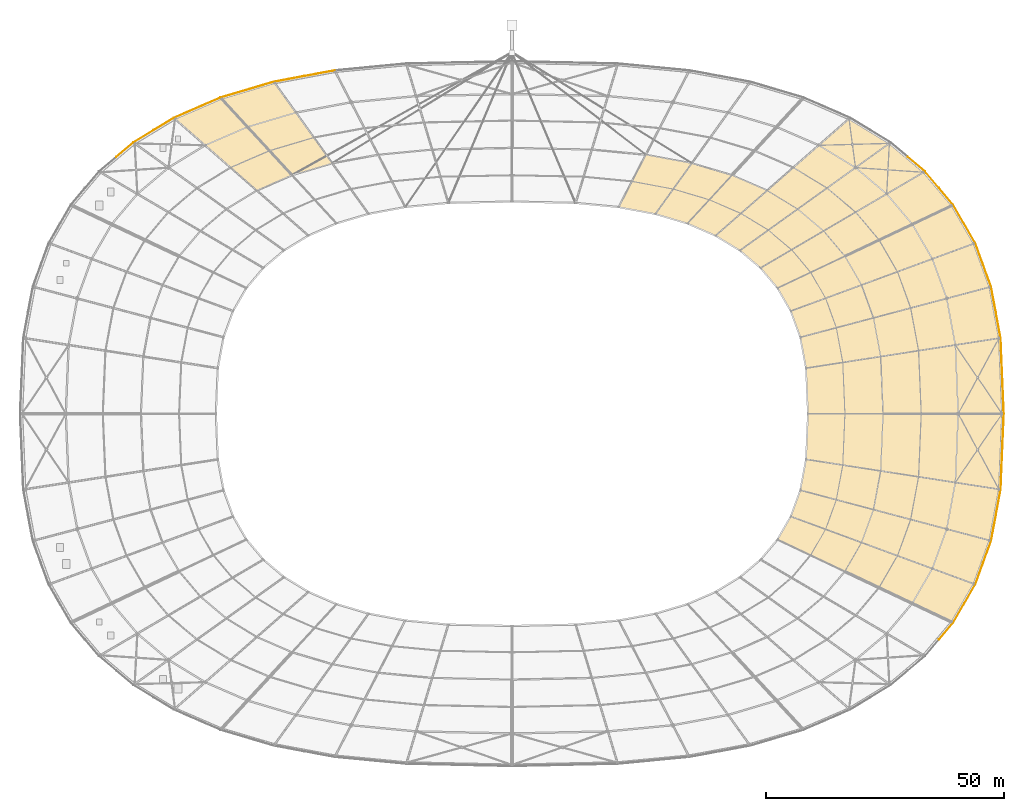
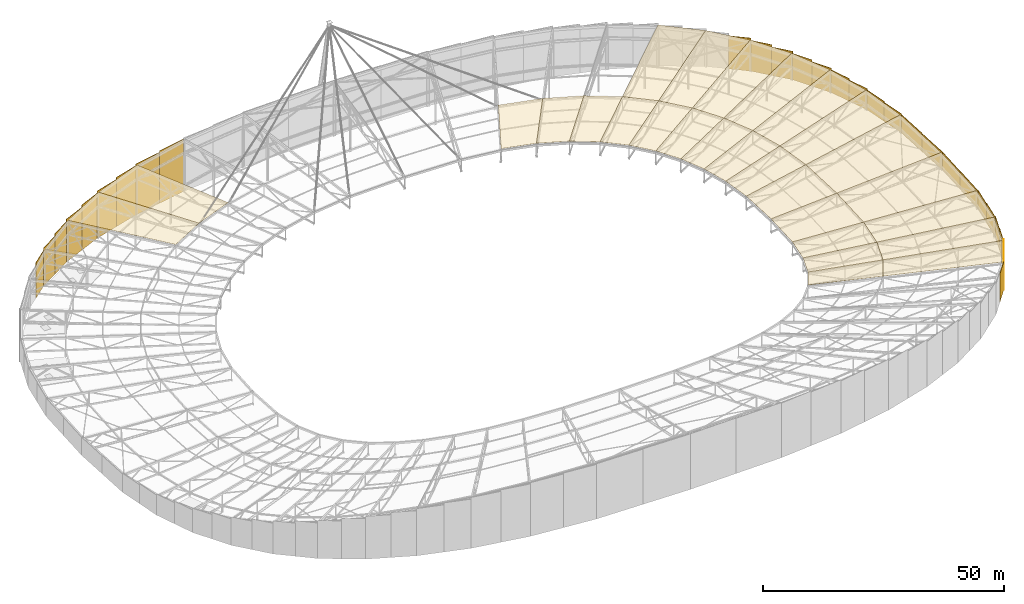
# One storey, part 142 of 143: 56 coverings.
"""IFC4 building model written with IfcOpenShell, lengths in metres."""

from ifc_helpers import new_model, si_unit, direction, frame, origin, origin_2d, place, context, subcontext, project, spatial, polyline, rectangle, outline, extrude, material, layer, layer_set, type_object, element, save


model = new_model("IFC4")

# Units and contexts
model_context = context("Model", 3, precision=1e-05, world=origin(), true_north=direction((0.0, 1.0)))
body_context = subcontext(model_context, "Body", "Model", "MODEL_VIEW")
ifc_project = project(units=[si_unit("LENGTHUNIT", "METRE"), si_unit("AREAUNIT", "SQUARE_METRE"), si_unit("VOLUMEUNIT", "CUBIC_METRE"), si_unit("PLANEANGLEUNIT", "RADIAN"), si_unit("MASSUNIT", "GRAM", prefix="KILO")], contexts=[model_context])

# Site, building, storey
site_placement = place(None, origin())
site = spatial("IfcSite", under=ifc_project, at=site_placement, CompositionType="ELEMENT")
building_placement = place(site_placement, origin())
building = spatial("IfcBuilding", under=site, at=building_placement, Name="Mphavela Belvedere Stadium", CompositionType="ELEMENT")
storey_placement = place(building_placement, frame((0.0, 0.0, 28.800048828125)))
storey = spatial("IfcBuildingStorey", under=building, at=storey_placement, Name="RF", CompositionType="ELEMENT", Elevation=28.800048828125)

# Coverings
ifc_material_1 = material(Name="Carved classical limestone entablature frieze cladding", Category="masonry")
ifc_layer_1 = layer(ifc_material_1, 0.06005859375)
ifc_layer_set_1 = layer_set([ifc_layer_1], Name="Carved classical limestone entablature frieze cladding")
covering_type_1 = type_object("IfcCoveringType", Name="COV-FRIEZE-CLAD", PredefinedType="CLADDING", material=ifc_layer_set_1)
covering_1_placement = place(storey_placement, frame((218.00244140625, 90.974609375, 0.0), z_axis=(0.0, 0.0, 1.0), x_axis=(-0.041875653729, 0.999122830099, 0.0)))
element("IfcCovering", 1, at=covering_1_placement, inside=storey, type_object=covering_type_1, Name="Classical perforated limestone roof attic screen 01-1", PredefinedType="CLADDING", context=body_context, shape_type="SweptSolid", body=[
    extrude(rectangle(XDim=7.996337890625, YDim=0.080078125, at=origin_2d()), origin(), (0.0, 0.0, 1.0), 4.556884765625),
])
covering_2_placement = place(storey_placement, frame((217.669189453125, 98.924072265625, 0.0), z_axis=(0.0, 0.0, 1.0), x_axis=(-0.041875653729, 0.999122830099, 0.0)))
element("IfcCovering", 2, at=covering_2_placement, inside=storey, type_object=covering_type_1, Name="Classical perforated limestone roof attic screen 01-2", PredefinedType="CLADDING", context=body_context, shape_type="SweptSolid", body=[
    extrude(rectangle(XDim=7.996337890625, YDim=0.080078125, at=origin_2d()), origin(), (0.0, 0.0, 1.0), 4.638671875),
])
covering_3_placement = place(storey_placement, frame((217.0029296875, 105.587158203125, 0.0), z_axis=(0.0, 0.0, 1.0), x_axis=(-0.182578735093, 0.983191235463, 0.0)))
element("IfcCovering", 3, at=covering_3_placement, inside=storey, type_object=covering_type_1, Name="Classical perforated limestone roof attic screen 02-1", PredefinedType="CLADDING", context=body_context, shape_type="SweptSolid", body=[
    extrude(rectangle(XDim=5.5087890625, YDim=0.080078125, at=origin_2d()), origin(), (0.0, 0.0, 1.0), 4.799560546875),
])
covering_4_placement = place(storey_placement, frame((216.004150390625, 110.964111328125, 0.0), z_axis=(0.0, 0.0, 1.0), x_axis=(-0.182578735093, 0.983191235463, 0.0)))
element("IfcCovering", 4, at=covering_4_placement, inside=storey, type_object=covering_type_1, Name="Classical perforated limestone roof attic screen 02-2", PredefinedType="CLADDING", context=body_context, shape_type="SweptSolid", body=[
    extrude(rectangle(XDim=5.5087890625, YDim=0.080078125, at=origin_2d()), origin(), (0.0, 0.0, 1.0), 5.039306640625),
])
covering_5_placement = place(storey_placement, frame((214.6748046875, 115.9404296875, 0.0), z_axis=(0.0, 0.0, 1.0), x_axis=(-0.341035912161, 0.940050268133, 0.0)))
element("IfcCovering", 5, at=covering_5_placement, inside=storey, type_object=covering_type_1, Name="Classical perforated limestone roof attic screen 03-1", PredefinedType="CLADDING", context=body_context, shape_type="SweptSolid", body=[
    extrude(rectangle(XDim=4.9072265625, YDim=0.080078125, at=origin_2d()), origin(), (0.0, 0.0, 1.0), 5.349853515625),
])
covering_6_placement = place(storey_placement, frame((213.014892578125, 120.515869140625, 0.0), z_axis=(0.0, 0.0, 1.0), x_axis=(-0.341035912161, 0.940050268133, 0.0)))
element("IfcCovering", 6, at=covering_6_placement, inside=storey, type_object=covering_type_1, Name="Classical perforated limestone roof attic screen 03-2", PredefinedType="CLADDING", context=body_context, shape_type="SweptSolid", body=[
    extrude(rectangle(XDim=4.9072265625, YDim=0.080078125, at=origin_2d()), origin(), (0.0, 0.0, 1.0), 5.731201171875),
])
covering_7_placement = place(storey_placement, frame((211.027587890625, 124.804931640625, 0.0), z_axis=(0.0, 0.0, 1.0), x_axis=(-0.500604477892, 0.865676126917, 0.0)))
element("IfcCovering", 7, at=covering_7_placement, inside=storey, type_object=covering_type_1, Name="Classical perforated limestone roof attic screen 04-1", PredefinedType="CLADDING", context=body_context, shape_type="SweptSolid", body=[
    extrude(rectangle(XDim=4.6640625, YDim=0.080078125, at=origin_2d()), origin(), (0.0, 0.0, 1.0), 6.17041015625),
])
covering_8_placement = place(storey_placement, frame((208.713134765625, 128.80810546875, 0.0), z_axis=(0.0, 0.0, 1.0), x_axis=(-0.500604477892, 0.865676126917, 0.0)))
element("IfcCovering", 8, at=covering_8_placement, inside=storey, type_object=covering_type_1, Name="Classical perforated limestone roof attic screen 04-2", PredefinedType="CLADDING", context=body_context, shape_type="SweptSolid", body=[
    extrude(rectangle(XDim=4.6640625, YDim=0.080078125, at=origin_2d()), origin(), (0.0, 0.0, 1.0), 6.66748046875),
])
covering_9_placement = place(storey_placement, frame((206.07470703125, 132.563720703125, 0.0), z_axis=(0.0, 0.0, 1.0), x_axis=(-0.645191033296, 0.764021289334, 0.0)))
element("IfcCovering", 9, at=covering_9_placement, inside=storey, type_object=covering_type_1, Name="Classical perforated limestone roof attic screen 05-1", PredefinedType="CLADDING", context=body_context, shape_type="SweptSolid", body=[
    extrude(rectangle(XDim=4.631103515625, YDim=0.080078125, at=origin_2d()), origin(), (0.0, 0.0, 1.0), 7.205322265625),
])
covering_10_placement = place(storey_placement, frame((203.112548828125, 136.071533203125, 0.0), z_axis=(0.0, 0.0, 1.0), x_axis=(-0.645191033296, 0.764021289334, 0.0)))
element("IfcCovering", 10, at=covering_10_placement, inside=storey, type_object=covering_type_1, Name="Classical perforated limestone roof attic screen 05-2", PredefinedType="CLADDING", context=body_context, shape_type="SweptSolid", body=[
    extrude(rectangle(XDim=4.631103515625, YDim=0.080078125, at=origin_2d()), origin(), (0.0, 0.0, 1.0), 7.7841796875),
])
covering_11_placement = place(storey_placement, frame((199.82958984375, 139.345947265625, 0.0), z_axis=(0.0, 0.0, 1.0), x_axis=(-0.764246456939, 0.644924300253, 0.0)))
element("IfcCovering", 11, at=covering_11_placement, inside=storey, type_object=covering_type_1, Name="Classical perforated limestone roof attic screen 06-1", PredefinedType="CLADDING", context=body_context, shape_type="SweptSolid", body=[
    extrude(rectangle(XDim=4.755126953125, YDim=0.080078125, at=origin_2d()), origin(), (0.0, 0.0, 1.0), 8.38427734375),
])
covering_12_placement = place(storey_placement, frame((74.6083984375, 158.41650390625, 0.0), z_axis=(0.0, 0.0, 1.0), x_axis=(-0.983095502692, -0.183093507769, 0.0)))
element("IfcCovering", 12, at=covering_12_placement, inside=storey, type_object=covering_type_1, Name="Classical perforated limestone roof attic screen 15-1", PredefinedType="CLADDING", context=body_context, shape_type="SweptSolid", body=[
    extrude(rectangle(XDim=6.53564453125, YDim=0.080078125, at=origin_2d()), origin(), (0.0, 0.0, 1.0), 13.2822265625),
])
covering_13_placement = place(storey_placement, frame((68.22265625, 157.227294921875, 0.0), z_axis=(0.0, 0.0, 1.0), x_axis=(-0.983095502692, -0.183093507769, 0.0)))
element("IfcCovering", 13, at=covering_13_placement, inside=storey, type_object=covering_type_1, Name="Classical perforated limestone roof attic screen 15-2", PredefinedType="CLADDING", context=body_context, shape_type="SweptSolid", body=[
    extrude(rectangle(XDim=6.53564453125, YDim=0.080078125, at=origin_2d()), origin(), (0.0, 0.0, 1.0), 12.90087890625),
])
covering_14_placement = place(storey_placement, frame((62.236083984375, 155.803466796875, 0.0), z_axis=(0.0, 0.0, 1.0), x_axis=(-0.958670893355, -0.284517342588, 0.0)))
element("IfcCovering", 14, at=covering_14_placement, inside=storey, type_object=covering_type_1, Name="Classical perforated limestone roof attic screen 16-1", PredefinedType="CLADDING", context=body_context, shape_type="SweptSolid", body=[
    extrude(rectangle(XDim=5.867919921875, YDim=0.080078125, at=origin_2d()), origin(), (0.0, 0.0, 1.0), 12.461669921875),
])
covering_15_placement = place(storey_placement, frame((56.649169921875, 154.14501953125, 0.0), z_axis=(0.0, 0.0, 1.0), x_axis=(-0.958670893355, -0.284517342588, 0.0)))
element("IfcCovering", 15, at=covering_15_placement, inside=storey, type_object=covering_type_1, Name="Classical perforated limestone roof attic screen 16-2", PredefinedType="CLADDING", context=body_context, shape_type="SweptSolid", body=[
    extrude(rectangle(XDim=5.867919921875, YDim=0.080078125, at=origin_2d()), origin(), (0.0, 0.0, 1.0), 11.964599609375),
])
covering_16_placement = place(storey_placement, frame((51.40771484375, 152.25439453125, 0.0), z_axis=(0.0, 0.0, 1.0), x_axis=(-0.917477140523, -0.397788507398, 0.0)))
element("IfcCovering", 16, at=covering_16_placement, inside=storey, type_object=covering_type_1, Name="Classical perforated limestone roof attic screen 17-1", PredefinedType="CLADDING", context=body_context, shape_type="SweptSolid", body=[
    extrude(rectangle(XDim=5.376220703125, YDim=0.080078125, at=origin_2d()), origin(), (0.0, 0.0, 1.0), 11.426513671875),
])
covering_17_placement = place(storey_placement, frame((46.51171875, 150.132080078125, 0.0), z_axis=(0.0, 0.0, 1.0), x_axis=(-0.917477140523, -0.397788507398, 0.0)))
element("IfcCovering", 17, at=covering_17_placement, inside=storey, type_object=covering_type_1, Name="Classical perforated limestone roof attic screen 17-2", PredefinedType="CLADDING", context=body_context, shape_type="SweptSolid", body=[
    extrude(rectangle(XDim=5.376220703125, YDim=0.080078125, at=origin_2d()), origin(), (0.0, 0.0, 1.0), 10.84765625),
])
covering_18_placement = place(storey_placement, frame((41.941650390625, 147.780029296875, 0.0), z_axis=(0.0, 0.0, 1.0), x_axis=(-0.854368143929, -0.519668235165, 0.0)))
element("IfcCovering", 18, at=covering_18_placement, inside=storey, type_object=covering_type_1, Name="Classical perforated limestone roof attic screen 18-1", PredefinedType="CLADDING", context=body_context, shape_type="SweptSolid", body=[
    extrude(rectangle(XDim=5.0078125, YDim=0.080078125, at=origin_2d()), origin(), (0.0, 0.0, 1.0), 10.247802734375),
])
covering_19_placement = place(storey_placement, frame((37.697509765625, 145.197998046875, 0.0), z_axis=(0.0, 0.0, 1.0), x_axis=(-0.854368143929, -0.519668235165, 0.0)))
element("IfcCovering", 19, at=covering_19_placement, inside=storey, type_object=covering_type_1, Name="Classical perforated limestone roof attic screen 18-2", PredefinedType="CLADDING", context=body_context, shape_type="SweptSolid", body=[
    extrude(rectangle(XDim=5.0078125, YDim=0.080078125, at=origin_2d()), origin(), (0.0, 0.0, 1.0), 9.626708984375),
])
covering_20_placement = place(storey_placement, frame((33.77392578125, 142.38671875, 0.0), z_axis=(0.0, 0.0, 1.0), x_axis=(-0.764246456939, -0.644924300253, 0.0)))
element("IfcCovering", 20, at=covering_20_placement, inside=storey, type_object=covering_type_1, Name="Classical perforated limestone roof attic screen 19-1", PredefinedType="CLADDING", context=body_context, shape_type="SweptSolid", body=[
    extrude(rectangle(XDim=4.755126953125, YDim=0.080078125, at=origin_2d()), origin(), (0.0, 0.0, 1.0), 9.00537109375),
])
covering_21_placement = place(storey_placement, frame((206.07470703125, 41.436279296875, 0.0), z_axis=(0.0, 0.0, 1.0), x_axis=(0.645191033296, 0.764021289334, 0.0)))
element("IfcCovering", 21, at=covering_21_placement, inside=storey, type_object=covering_type_1, Name="Classical perforated limestone roof attic screen 44-2", PredefinedType="CLADDING", context=body_context, shape_type="SweptSolid", body=[
    extrude(rectangle(XDim=4.631103515625, YDim=0.080078125, at=origin_2d()), origin(), (0.0, 0.0, 1.0), 7.205322265625),
])
covering_22_placement = place(storey_placement, frame((208.713134765625, 45.19189453125, 0.0), z_axis=(0.0, 0.0, 1.0), x_axis=(0.500604477892, 0.865676126917, 0.0)))
element("IfcCovering", 22, at=covering_22_placement, inside=storey, type_object=covering_type_1, Name="Classical perforated limestone roof attic screen 45-1", PredefinedType="CLADDING", context=body_context, shape_type="SweptSolid", body=[
    extrude(rectangle(XDim=4.6640625, YDim=0.080078125, at=origin_2d()), origin(), (0.0, 0.0, 1.0), 6.66748046875),
])
covering_23_placement = place(storey_placement, frame((211.027587890625, 49.19482421875, 0.0), z_axis=(0.0, 0.0, 1.0), x_axis=(0.500604477892, 0.865676126917, 0.0)))
element("IfcCovering", 23, at=covering_23_placement, inside=storey, type_object=covering_type_1, Name="Classical perforated limestone roof attic screen 45-2", PredefinedType="CLADDING", context=body_context, shape_type="SweptSolid", body=[
    extrude(rectangle(XDim=4.6640625, YDim=0.080078125, at=origin_2d()), origin(), (0.0, 0.0, 1.0), 6.17041015625),
])
covering_24_placement = place(storey_placement, frame((213.014892578125, 53.484130859375, 0.0), z_axis=(0.0, 0.0, 1.0), x_axis=(0.341035912161, 0.940050268133, 0.0)))
element("IfcCovering", 24, at=covering_24_placement, inside=storey, type_object=covering_type_1, Name="Classical perforated limestone roof attic screen 46-1", PredefinedType="CLADDING", context=body_context, shape_type="SweptSolid", body=[
    extrude(rectangle(XDim=4.9072265625, YDim=0.080078125, at=origin_2d()), origin(), (0.0, 0.0, 1.0), 5.731201171875),
])
covering_25_placement = place(storey_placement, frame((214.6748046875, 58.0595703125, 0.0), z_axis=(0.0, 0.0, 1.0), x_axis=(0.341035912161, 0.940050268133, 0.0)))
element("IfcCovering", 25, at=covering_25_placement, inside=storey, type_object=covering_type_1, Name="Classical perforated limestone roof attic screen 46-2", PredefinedType="CLADDING", context=body_context, shape_type="SweptSolid", body=[
    extrude(rectangle(XDim=4.9072265625, YDim=0.080078125, at=origin_2d()), origin(), (0.0, 0.0, 1.0), 5.349853515625),
])
covering_26_placement = place(storey_placement, frame((216.004150390625, 63.03564453125, 0.0), z_axis=(0.0, 0.0, 1.0), x_axis=(0.182578735093, 0.983191235463, 0.0)))
element("IfcCovering", 26, at=covering_26_placement, inside=storey, type_object=covering_type_1, Name="Classical perforated limestone roof attic screen 47-1", PredefinedType="CLADDING", context=body_context, shape_type="SweptSolid", body=[
    extrude(rectangle(XDim=5.5087890625, YDim=0.080078125, at=origin_2d()), origin(), (0.0, 0.0, 1.0), 5.039306640625),
])
covering_27_placement = place(storey_placement, frame((217.0029296875, 68.41259765625, 0.0), z_axis=(0.0, 0.0, 1.0), x_axis=(0.182578735093, 0.983191235463, 0.0)))
element("IfcCovering", 27, at=covering_27_placement, inside=storey, type_object=covering_type_1, Name="Classical perforated limestone roof attic screen 47-2", PredefinedType="CLADDING", context=body_context, shape_type="SweptSolid", body=[
    extrude(rectangle(XDim=5.5087890625, YDim=0.080078125, at=origin_2d()), origin(), (0.0, 0.0, 1.0), 4.799560546875),
])
covering_28_placement = place(storey_placement, frame((217.669189453125, 75.075927734375, 0.0), z_axis=(0.0, 0.0, 1.0), x_axis=(0.041875653729, 0.999122830099, 0.0)))
element("IfcCovering", 28, at=covering_28_placement, inside=storey, type_object=covering_type_1, Name="Classical perforated limestone roof attic screen 48-1", PredefinedType="CLADDING", context=body_context, shape_type="SweptSolid", body=[
    extrude(rectangle(XDim=7.996337890625, YDim=0.080078125, at=origin_2d()), origin(), (0.0, 0.0, 1.0), 4.638671875),
])
covering_29_placement = place(storey_placement, frame((218.00244140625, 83.025390625, 0.0), z_axis=(0.0, 0.0, 1.0), x_axis=(0.041875653729, 0.999122830099, 0.0)))
element("IfcCovering", 29, at=covering_29_placement, inside=storey, type_object=covering_type_1, Name="Classical perforated limestone roof attic screen 48-2", PredefinedType="CLADDING", context=body_context, shape_type="SweptSolid", body=[
    extrude(rectangle(XDim=7.996337890625, YDim=0.080078125, at=origin_2d()), origin(), (0.0, 0.0, 1.0), 4.556884765625),
])
ifc_material_2 = material(Name="Translucent polycarbonate roof panel")
ifc_layer_2 = layer(ifc_material_2, 0.0400390625)
ifc_layer_set_2 = layer_set([ifc_layer_2], Name="Translucent polycarbonate roof panel")
covering_type_2 = type_object("IfcCoveringType", Name="COV-ROOF-POLY", PredefinedType="ROOFING", material=ifc_layer_set_2)
covering_30_placement = place(storey_placement, frame((177.080078125, 87.0, 1.993896484375), z_axis=(-0.062764675151, -0.012937676198, 0.99794449349), x_axis=(-0.041915656124, 0.999067894558, 0.010315998982)))
element("IfcCovering", 30, at=covering_30_placement, inside=storey, type_object=covering_type_2, Name="Saddle canopy UV polycarbonate covering 01-1", PredefinedType="ROOFING", context=body_context, shape_type="SweptSolid", body=[
    extrude(outline(polyline([(0.0, 0.0), (9.575818241799112, 1.9081958235744878e-17), (11.356570347502219, -15.780304514097292), (-0.6504681519766061, -15.780185589169587), (0.0, 0.0)])), origin(), (0.0, 0.0, -1.0), 0.0400390625),
])
covering_31_placement = place(storey_placement, frame((192.842529296875, 87.0, 2.985107421875), z_axis=(-0.062755003726, -0.012940970065, 0.997945059009), x_axis=(-0.041906011474, 0.999068254647, 0.010320308094)))
element("IfcCovering", 31, at=covering_31_placement, inside=storey, type_object=covering_type_2, Name="Saddle canopy UV polycarbonate covering 01-2", PredefinedType="ROOFING", context=body_context, shape_type="SweptSolid", body=[
    extrude(outline(polyline([(0.0, 0.0), (12.007038500545576, 9.194034422677078e-17), (14.829246143778846, -25.00571956962916), (-1.0304978905212312, -25.005658295657856), (0.0, 0.0)])), origin(), (0.0, 0.0, -1.0), 0.0400390625),
])
covering_32_placement = place(storey_placement, frame((176.6787109375, 96.56689453125, 2.092529296875), z_axis=(-0.056164272508, -0.0550547547, 0.996902476915), x_axis=(-0.182443772606, 0.982232795792, 0.043965949412)))
element("IfcCovering", 32, at=covering_32_placement, inside=storey, type_object=covering_type_2, Name="Saddle canopy UV polycarbonate covering 02-1", PredefinedType="ROOFING", context=body_context, shape_type="SweptSolid", body=[
    extrude(outline(polyline([(0.0, 0.0), (6.587757884317763, 3.226585665316861e-16), (7.834077100659961, -15.874766632555215), (-0.42669187961918353, -15.874729057762822), (0.0, 0.0)])), origin(), (0.0, 0.0, -1.0), 0.0400390625),
])
covering_33_placement = place(storey_placement, frame((192.33935546875, 98.995849609375, 3.109130859375), z_axis=(-0.056154244262, -0.055032730131, 0.996904257923), x_axis=(-0.18243819098, 0.982234706245, 0.043946425573)))
element("IfcCovering", 33, at=covering_33_placement, inside=storey, type_object=covering_type_2, Name="Saddle canopy UV polycarbonate covering 02-2", PredefinedType="ROOFING", context=body_context, shape_type="SweptSolid", body=[
    extrude(outline(polyline([(0.0, 0.0), (8.260768981880847, 1.0408340855860843e-16), (10.23552338864313, -25.155086016875817), (-0.6759062003940843, -25.155397392929647), (0.0, 0.0)])), origin(), (0.0, 0.0, -1.0), 0.0400390625),
])
covering_34_placement = place(storey_placement, frame((175.476806640625, 103.03759765625, 2.38232421875), z_axis=(-0.044251671248, -0.099185327266, 0.994084533854), x_axis=(-0.340014874302, 0.937148983878, 0.078368790151)))
element("IfcCovering", 34, at=covering_34_placement, inside=storey, type_object=covering_type_2, Name="Saddle canopy UV polycarbonate covering 03-1", PredefinedType="ROOFING", context=body_context, shape_type="SweptSolid", body=[
    extrude(outline(polyline([(0.0, 0.0), (5.875635604742094, -4.163336342344337e-17), (6.047943325037904, -15.868980489131248), (-1.3193584481840013, -15.868863240229345), (0.0, 0.0)])), origin(), (0.0, 0.0, -1.0), 0.0400390625),
])
covering_35_placement = place(storey_placement, frame((190.832275390625, 107.10986328125, 3.47216796875), z_axis=(-0.044245308, -0.099200765104, 0.994083276654), x_axis=(-0.340000664528, 0.937152648351, 0.078386617544)))
element("IfcCovering", 35, at=covering_35_placement, inside=storey, type_object=covering_type_2, Name="Saddle canopy UV polycarbonate covering 03-2", PredefinedType="ROOFING", context=body_context, shape_type="SweptSolid", body=[
    extrude(outline(polyline([(0.0, 0.0), (7.367301773413963, 2.220446049250313e-16), (7.640832806532961, -25.146073754961183), (-2.0905256807669184, -25.145729455522236), (0.0, 0.0)])), origin(), (0.0, 0.0, -1.0), 0.0400390625),
])
covering_36_placement = place(storey_placement, frame((173.47900390625, 108.5439453125, 2.8427734375), z_axis=(-0.028856356997, -0.140011464477, 0.989729306667), x_axis=(-0.497643603936, 0.860725094897, 0.107252759761)))
element("IfcCovering", 36, at=covering_36_placement, inside=storey, type_object=covering_type_2, Name="Saddle canopy UV polycarbonate covering 04-1", PredefinedType="ROOFING", context=body_context, shape_type="SweptSolid", body=[
    extrude(outline(polyline([(0.0, 0.0), (5.597177419716359, -3.191891195797325e-16), (4.466977256564428, -15.663177329598065), (-2.5514232128908825, -15.66347570953079), (0.0, 0.0)])), origin(), (0.0, 0.0, -1.0), 0.0400390625),
])
covering_37_placement = place(storey_placement, frame((188.327392578125, 114.01416015625, 4.049560546875), z_axis=(-0.028862152723, -0.140004301385, 0.989730150967), x_axis=(-0.49768019511, 0.860705565907, 0.107239695134)))
element("IfcCovering", 37, at=covering_37_placement, inside=storey, type_object=covering_type_2, Name="Saddle canopy UV polycarbonate covering 04-2", PredefinedType="ROOFING", context=body_context, shape_type="SweptSolid", body=[
    extrude(outline(polyline([(0.0, 0.0), (7.018400475773272, 3.0531133177191805e-16), (5.226613501522987, -24.820291656156545), (-4.043962762223195, -24.82027819553575), (0.0, 0.0)])), origin(), (0.0, 0.0, -1.0), 0.0400390625),
])
covering_38_placement = place(storey_placement, frame((170.693603515625, 113.361572265625, 3.443115234375), z_axis=(-0.012499055619, -0.173574574961, 0.984741407952), x_axis=(-0.6400544145, 0.758012864044, 0.125486431227)))
element("IfcCovering", 38, at=covering_38_placement, inside=storey, type_object=covering_type_2, Name="Saddle canopy UV polycarbonate covering 05-1", PredefinedType="ROOFING", context=body_context, shape_type="SweptSolid", body=[
    extrude(outline(polyline([(0.0, 0.0), (5.569368925132809, 4.996003610813204e-16), (3.1767967242217043, -15.235350172096124), (-3.8067207272916477, -15.235529322913774), (0.0, 0.0)])), origin(), (0.0, 0.0, -1.0), 0.0400390625),
])
covering_39_placement = place(storey_placement, frame((184.83447265625, 120.054931640625, 4.80224609375), z_axis=(-0.012483112725, -0.173591051891, 0.984738705749), x_axis=(-0.640074409653, 0.757992736839, 0.125506019804)))
element("IfcCovering", 39, at=covering_39_placement, inside=storey, type_object=covering_type_2, Name="Saddle canopy UV polycarbonate covering 05-2", PredefinedType="ROOFING", context=body_context, shape_type="SweptSolid", body=[
    extrude(outline(polyline([(0.0, 0.0), (6.98351745546173, 1.0269562977782698e-15), (3.19152392636825, -24.142724802360686), (-6.0326516070483684, -24.142586709938033), (0.0, 0.0)])), origin(), (0.0, 0.0, -1.0), 0.0400390625),
])
covering_40_placement = place(storey_placement, frame((167.12890625, 117.583251953125, 4.141845703125), z_axis=(0.002399905899, -0.198067178386, 0.980185509635), x_axis=(-0.757684743697, 0.639328589007, 0.131044971089)))
element("IfcCovering", 40, at=covering_40_placement, inside=storey, type_object=covering_type_2, Name="Saddle canopy UV polycarbonate covering 06-1", PredefinedType="ROOFING", context=body_context, shape_type="SweptSolid", body=[
    extrude(outline(polyline([(0.0, 0.0), (5.723903614211194, -9.71445146547012e-17), (2.314591764863128, -14.635831257513168), (-4.8625365759486545, -14.635437630919384), (0.0, 0.0)])), origin(), (0.0, 0.0, -1.0), 0.0400390625),
])
covering_41_placement = place(storey_placement, frame((180.364501953125, 125.348388671875, 5.6787109375), z_axis=(0.002392054769, -0.198047747663, 0.980189455013), x_axis=(-0.757648995264, 0.639373077979, 0.131034602797)))
element("IfcCovering", 41, at=covering_41_placement, inside=storey, type_object=covering_type_2, Name="Saddle canopy UV polycarbonate covering 06-2", PredefinedType="ROOFING", context=body_context, shape_type="SweptSolid", body=[
    extrude(outline(polyline([(0.0, 0.0), (7.177128353319401, -1.1657341758564144e-15), (1.7759581672517495, -23.192195402589864), (-7.704161750379658, -23.192590789533337), (0.0, 0.0)])), origin(), (0.0, 0.0, -1.0), 0.0400390625),
])
covering_42_placement = place(storey_placement, frame((162.7919921875, 121.24267578125, 4.89208984375), z_axis=(0.013733179277, -0.213217345018, 0.976908267736), x_axis=(-0.847661594351, 0.51572778505, 0.124477601161)))
element("IfcCovering", 42, at=covering_42_placement, inside=storey, type_object=covering_type_2, Name="Saddle canopy UV polycarbonate covering 07-1", PredefinedType="ROOFING", context=body_context, shape_type="SweptSolid", body=[
    extrude(outline(polyline([(0.0, 0.0), (6.0253073712629135, 2.7755575615628914e-17), (1.967979164618128, -13.95025226636353), (-5.587159112795013, -13.950434292798048), (0.0, 0.0)])), origin(), (0.0, 0.0, -1.0), 0.0400390625),
])
covering_43_placement = place(storey_placement, frame((174.9267578125, 129.937255859375, 6.619140625), z_axis=(0.013732704437, -0.21322645444, 0.976906286169), x_axis=(-0.847674309717, 0.515706824103, 0.124477854334)))
element("IfcCovering", 43, at=covering_43_placement, inside=storey, type_object=covering_type_2, Name="Saddle canopy UV polycarbonate covering 07-2", PredefinedType="ROOFING", context=body_context, shape_type="SweptSolid", body=[
    extrude(outline(polyline([(0.0, 0.0), (7.555138279601496, -5.828670879282072e-16), (1.125264297541194, -22.10545377288267), (-8.853982437199763, -22.105600240046222), (0.0, 0.0)])), origin(), (0.0, 0.0, -1.0), 0.0400390625),
])
covering_44_placement = place(storey_placement, frame((157.6845703125, 124.35009765625, 5.64208984375), z_axis=(0.020204280881, -0.220276327058, 0.975228243424), x_axis=(-0.912114152586, 0.395397621175, 0.108205793839)))
element("IfcCovering", 44, at=covering_44_placement, inside=storey, type_object=covering_type_2, Name="Saddle canopy UV polycarbonate covering 08-1", PredefinedType="ROOFING", context=body_context, shape_type="SweptSolid", body=[
    extrude(outline(polyline([(0.0, 0.0), (6.45981593237783, -3.608224830031759e-16), (2.1718225879298805, -13.263682883832265), (-5.928197744109233, -13.263782340583807), (0.0, 0.0)])), origin(), (0.0, 0.0, -1.0), 0.0400390625),
])
covering_45_placement = place(storey_placement, frame((151.79248046875, 126.904296875, 6.341064453125), z_axis=(0.02136301792, -0.22128636647, 0.974974853768), x_axis=(-0.955175670679, 0.283492592206, 0.085272435795)))
element("IfcCovering", 45, at=covering_45_placement, inside=storey, type_object=covering_type_2, Name="Saddle canopy UV polycarbonate covering 09-1", PredefinedType="ROOFING", context=body_context, shape_type="SweptSolid", body=[
    extrude(outline(polyline([(0.0, 0.0), (7.039415652952659, 4.3021142204224816e-16), (2.954794330745301, -12.642734798396607), (-5.8721134069264105, -12.642406997704704), (0.0, 0.0)])), origin(), (0.0, 0.0, -1.0), 0.0400390625),
])
covering_46_placement = place(storey_placement, frame((145.068603515625, 128.89990234375, 6.94140625), z_axis=(0.017716384697, -0.218808731373, 0.975606923299), x_axis=(-0.981391537632, 0.182787366369, 0.058816907092)))
element("IfcCovering", 46, at=covering_46_placement, inside=storey, type_object=covering_type_2, Name="Saddle canopy UV polycarbonate covering 10-1", PredefinedType="ROOFING", context=body_context, shape_type="SweptSolid", body=[
    extrude(outline(polyline([(0.0, 0.0), (7.830774862642115, -1.1102230246251565e-16), (4.403319004744994, -12.132280217011811), (-5.415615253726579, -12.132352860810734), (0.0, 0.0)])), origin(), (0.0, 0.0, -1.0), 0.0400390625),
])
covering_47_placement = place(storey_placement, frame((77.296875, 139.538818359375, 9.188720703125), z_axis=(-0.02135179677, -0.221287117416, 0.974974929134), x_axis=(-0.955164929305, -0.283529569935, -0.085269811767)))
element("IfcCovering", 47, at=covering_47_placement, inside=storey, type_object=covering_type_2, Name="Saddle canopy UV polycarbonate covering 16-2", PredefinedType="ROOFING", context=body_context, shape_type="SweptSolid", body=[
    extrude(outline(polyline([(0.0, 0.0), (8.82690774406509, -4.163336342344337e-16), (18.131228995289376, -20.033844096290373), (6.472268512930808, -20.033844312134352), (0.0, 0.0)])), origin(), (0.0, 0.0, -1.0), 0.0400390625),
])
covering_48_placement = place(storey_placement, frame((68.86572265625, 137.0361328125, 8.43603515625), z_axis=(-0.020202543556, -0.220281385412, 0.975227136863), x_axis=(-0.912119169022, -0.395386554404, -0.108203946782)))
element("IfcCovering", 48, at=covering_48_placement, inside=storey, type_object=covering_type_2, Name="Saddle canopy UV polycarbonate covering 17-2", PredefinedType="ROOFING", context=body_context, shape_type="SweptSolid", body=[
    extrude(outline(polyline([(0.0, 0.0), (8.100020332656722, 2.220446049250313e-16), (17.494202780749614, -21.017699732900855), (6.795084432483262, -21.017900246600583), (0.0, 0.0)])), origin(), (0.0, 0.0, -1.0), 0.0400390625),
])
covering_49_placement = place(storey_placement, frame((170.693603515625, 60.638427734375, 3.443115234375), z_axis=(-0.028856356997, 0.140011464477, 0.989729306667), x_axis=(0.497643603936, 0.860725094897, -0.107252759761)))
element("IfcCovering", 49, at=covering_49_placement, inside=storey, type_object=covering_type_2, Name="Saddle canopy UV polycarbonate covering 45-1", PredefinedType="ROOFING", context=body_context, shape_type="SweptSolid", body=[
    extrude(outline(polyline([(0.0, 0.0), (5.597177419716359, 3.191891195797325e-16), (8.148600632607241, -15.663475709530788), (1.1302001631519305, -15.663177329598065), (0.0, 0.0)])), origin(), (0.0, 0.0, -1.0), 0.0400390625),
])
covering_50_placement = place(storey_placement, frame((184.83447265625, 53.945068359375, 4.80224609375), z_axis=(-0.028862152723, 0.140004301385, 0.989730150967), x_axis=(0.49768019511, 0.860705565907, -0.107239695134)))
element("IfcCovering", 50, at=covering_50_placement, inside=storey, type_object=covering_type_2, Name="Saddle canopy UV polycarbonate covering 45-2", PredefinedType="ROOFING", context=body_context, shape_type="SweptSolid", body=[
    extrude(outline(polyline([(0.0, 0.0), (7.018400475773272, -3.0531133177191805e-16), (11.062363237996466, -24.820278195535746), (1.7917869742502843, -24.820291656156545), (0.0, 0.0)])), origin(), (0.0, 0.0, -1.0), 0.0400390625),
])
covering_51_placement = place(storey_placement, frame((173.47900390625, 65.4560546875, 2.8427734375), z_axis=(-0.044251671248, 0.099185327266, 0.994084533854), x_axis=(0.340014874302, 0.937148983878, -0.078368790151)))
element("IfcCovering", 51, at=covering_51_placement, inside=storey, type_object=covering_type_2, Name="Saddle canopy UV polycarbonate covering 46-1", PredefinedType="ROOFING", context=body_context, shape_type="SweptSolid", body=[
    extrude(outline(polyline([(0.0, 0.0), (5.875635604742094, 4.163336342344337e-17), (7.194994052926095, -15.868863240229345), (-0.17230772029580965, -15.868980489131246), (0.0, 0.0)])), origin(), (0.0, 0.0, -1.0), 0.0400390625),
])
covering_52_placement = place(storey_placement, frame((188.327392578125, 59.98583984375, 4.049560546875), z_axis=(-0.044245308, 0.099200765104, 0.994083276654), x_axis=(0.340000664528, 0.937152648351, -0.078386617544)))
element("IfcCovering", 52, at=covering_52_placement, inside=storey, type_object=covering_type_2, Name="Saddle canopy UV polycarbonate covering 46-2", PredefinedType="ROOFING", context=body_context, shape_type="SweptSolid", body=[
    extrude(outline(polyline([(0.0, 0.0), (7.367301773413963, -2.220446049250313e-16), (9.457827454180883, -25.145729455522236), (-0.27353103311899707, -25.14607375496118), (0.0, 0.0)])), origin(), (0.0, 0.0, -1.0), 0.0400390625),
])
covering_53_placement = place(storey_placement, frame((175.476806640625, 70.96240234375, 2.38232421875), z_axis=(-0.056164272508, 0.0550547547, 0.996902476915), x_axis=(0.182443772606, 0.982232795792, -0.043965949412)))
element("IfcCovering", 53, at=covering_53_placement, inside=storey, type_object=covering_type_2, Name="Saddle canopy UV polycarbonate covering 47-1", PredefinedType="ROOFING", context=body_context, shape_type="SweptSolid", body=[
    extrude(outline(polyline([(0.0, 0.0), (6.587757884317763, -3.226585665316861e-16), (7.0144497639369465, -15.87472905776282), (-1.2463192163421974, -15.874766632555215), (0.0, 0.0)])), origin(), (0.0, 0.0, -1.0), 0.0400390625),
])
covering_54_placement = place(storey_placement, frame((190.832275390625, 66.89013671875, 3.47216796875), z_axis=(-0.056154244262, 0.055032730131, 0.996904257923), x_axis=(0.18243819098, 0.982234706245, -0.043946425573)))
element("IfcCovering", 54, at=covering_54_placement, inside=storey, type_object=covering_type_2, Name="Saddle canopy UV polycarbonate covering 47-2", PredefinedType="ROOFING", context=body_context, shape_type="SweptSolid", body=[
    extrude(outline(polyline([(0.0, 0.0), (8.260768981880847, -1.0408340855860843e-16), (8.936675182274932, -25.155397392929643), (-1.9747544067622829, -25.155086016875813), (0.0, 0.0)])), origin(), (0.0, 0.0, -1.0), 0.0400390625),
])
covering_55_placement = place(storey_placement, frame((176.6787109375, 77.43310546875, 2.092529296875), z_axis=(-0.062764675151, 0.012937676198, 0.99794449349), x_axis=(0.041915656124, 0.999067894558, -0.010315998982)))
element("IfcCovering", 55, at=covering_55_placement, inside=storey, type_object=covering_type_2, Name="Saddle canopy UV polycarbonate covering 48-1", PredefinedType="ROOFING", context=body_context, shape_type="SweptSolid", body=[
    extrude(outline(polyline([(0.0, 0.0), (9.575818241799112, -1.9081958235744878e-17), (10.22628639377572, -15.780185589169587), (-1.7807521057031033, -15.78030451409729), (0.0, 0.0)])), origin(), (0.0, 0.0, -1.0), 0.0400390625),
])
covering_56_placement = place(storey_placement, frame((192.33935546875, 75.004150390625, 3.109130859375), z_axis=(-0.062755003726, 0.012940970065, 0.997945059009), x_axis=(0.041906011474, 0.999068254647, -0.010320308094)))
element("IfcCovering", 56, at=covering_56_placement, inside=storey, type_object=covering_type_2, Name="Saddle canopy UV polycarbonate covering 48-2", PredefinedType="ROOFING", context=body_context, shape_type="SweptSolid", body=[
    extrude(outline(polyline([(0.0, 0.0), (12.007038500545576, -9.194034422677078e-17), (13.037536391066807, -25.005658295657852), (-2.822207643233269, -25.00571956962916), (0.0, 0.0)])), origin(), (0.0, 0.0, -1.0), 0.0400390625),
])

save(model, "model.ifc")
